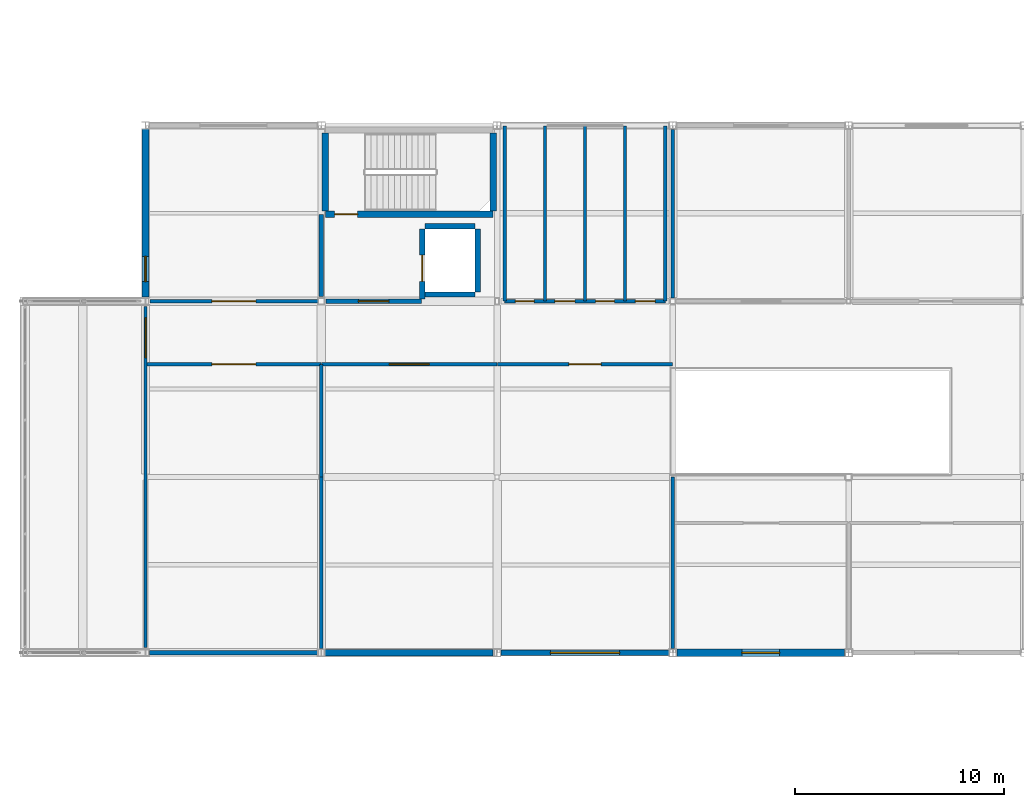
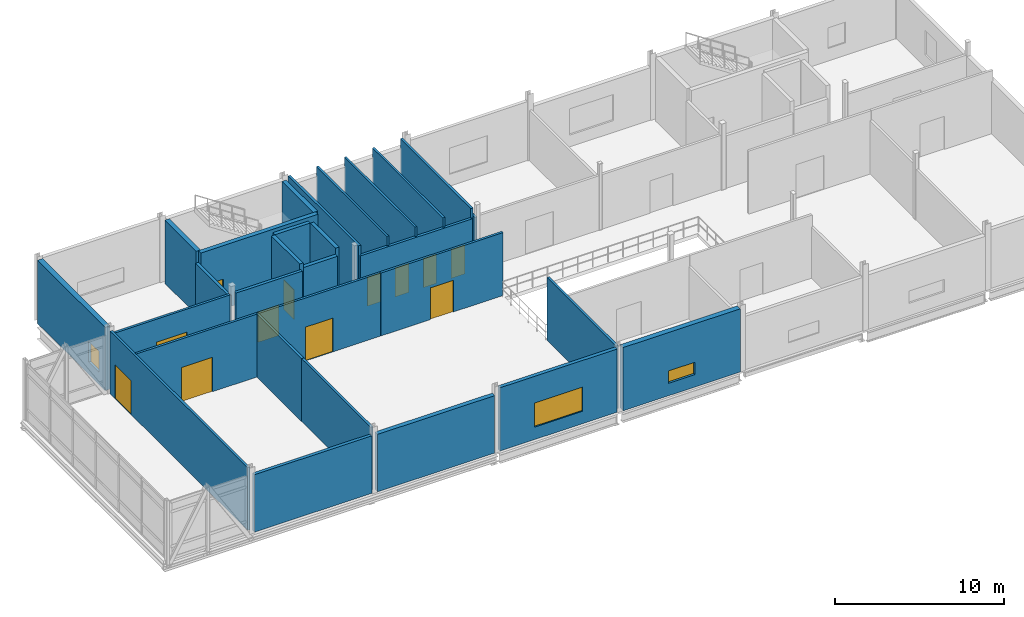
# One storey, part 30 of 45: 29 walls, 12 doors, 3 windows, 15 openings.
"""IFC4 building model written with IfcOpenShell, lengths in metres."""

from ifc_helpers import new_model, si_unit, direction, frame, frame_2d, origin, place, context, subcontext, project, spatial, rectangle, extrude, material, layer, layer_set, type_object, element, fill, save


model = new_model("IFC4")

# Units and contexts
model_context = context("Model", 3, precision=1e-05, world=origin(), true_north=direction((0.0, 1.0)))
body_context = subcontext(model_context, "Body", "Model", "MODEL_VIEW")
ifc_project = project(units=[si_unit("LENGTHUNIT", "METRE"), si_unit("AREAUNIT", "SQUARE_METRE"), si_unit("VOLUMEUNIT", "CUBIC_METRE"), si_unit("PLANEANGLEUNIT", "RADIAN"), si_unit("MASSUNIT", "GRAM", prefix="KILO")], contexts=[model_context])

# Site, building, storey
site_placement = place(None, origin())
site = spatial("IfcSite", under=ifc_project, at=site_placement, CompositionType="ELEMENT")
building_placement = place(site_placement, origin())
building = spatial("IfcBuilding", under=site, at=building_placement, Name="Calvrana Isthmian Art Gallery", CompositionType="ELEMENT")
storey_placement = place(building_placement, frame((0.0, 0.0, 19.800048828125)))
storey = spatial("IfcBuildingStorey", under=building, at=storey_placement, Name="L04", CompositionType="ELEMENT", Elevation=19.800048828125)

# Wall, opening, door
ifc_material_1 = material(Name="Concrete C40/50", Category="concrete")
ifc_layer_1 = layer(ifc_material_1, 0.300048828125, Name="Concrete C40/50")
ifc_layer_set_1 = layer_set([ifc_layer_1], Name="Concrete C40/50")
wall_type_1 = type_object("IfcWallType", Name="CW-SHAFT-300", PredefinedType="SHEAR", material=ifc_layer_set_1)
wall_1_placement = place(storey_placement, frame((30.18994140625, 42.56005859375, 0.0), z_axis=(0.0, 0.0, 1.0), x_axis=(1.0, 0.0, 0.0)))
wall_1 = element("IfcWall", 1, at=wall_1_placement, inside=storey, type_object=wall_type_1, Name="Core C1 shear wall S L04", PredefinedType="SHEAR", context=body_context, shape_type="SweptSolid", body=[
    extrude(rectangle(XDim=8.02001953125, YDim=0.300048828125, at=frame_2d((4.010009765625, 0.0))), origin(), (0.0, 0.0, 1.0), 4.579833984375),
])
opening_1_placement = place(wall_1_placement, frame((0.449951171875, 0.0, 0.0)))
opening_1 = element("IfcOpeningElement", 2, at=opening_1_placement, cuts=wall_1, Name="Opening D-111", PredefinedType="OPENING", context=body_context, shape_type="SweptSolid", body=[
    extrude(rectangle(XDim=1.10009765625, YDim=2.14990234375, at=frame_2d((0.550048828125, 1.074951171875))), frame((0.0, 0.16015625, 0.0), z_axis=(0.0, -1.0, 0.0), x_axis=(1.0, 0.0, 0.0)), (0.0, 0.0, 1.0), 0.320556640625),
])
ifc_material_2 = material(Name="Steel ASTM A572 Gr 50", Category="steel")
door_type_1 = type_object("IfcDoorType", Name="DR-FIRE-1100", OperationType="NOTDEFINED", PredefinedType="DOOR", material=ifc_material_2)
door_1_placement = place(opening_1_placement, origin())
door_1 = element("IfcDoor", 3, at=door_1_placement, inside=storey, type_object=door_type_1, Name="Stair ST-1 fire door L04", OperationType="SINGLE_SWING_RIGHT", OverallHeight=2.14990234375, OverallWidth=1.10009765625, PredefinedType="DOOR", context=body_context, shape_type="SweptSolid", body=[
    extrude(rectangle(XDim=1.10009765625, YDim=2.14990234375, at=frame_2d((0.550048828125, 1.074951171875))), frame((0.0, 0.02490234375, 0.0), z_axis=(0.0, -1.0, 0.0), x_axis=(1.0, 0.0, 0.0)), (0.0, 0.0, 1.0), 0.050048828125),
])
fill(opening_1, door_1)

# Walls
for number, where, z_axis, x_axis, name in (
    (4, (30.18994140625, 42.7099609375, 0.0), (0.0, 0.0, 1.0), (0.0, 1.0, 0.0), "Core C1 shear wall W L04"),
    (5, (38.2099609375, 42.7099609375, 0.0), (0.0, 0.0, 1.0), (0.0, 1.0, 0.0), "Core C1 shear wall E L04"),
):
    element("IfcWall", number, at=place(storey_placement, frame(where, z_axis=z_axis, x_axis=x_axis)), inside=storey, type_object=wall_type_1, Name=name, PredefinedType="SHEAR", context=body_context, shape_type="SweptSolid", body=[
        extrude(rectangle(XDim=3.719970703125, YDim=0.300048828125, at=frame_2d((1.85986328125, 0.0))), origin(), (0.0, 0.0, 1.0), 4.579833984375),
    ])
ifc_material_3 = material(Name="Precast concrete C40/50", Category="concrete")
ifc_layer_2 = layer(ifc_material_3, 0.219970703125, Name="Precast concrete C40/50")
ifc_layer_set_2 = layer_set([ifc_layer_2], Name="Precast concrete C40/50")
wall_type_2 = type_object("IfcWallType", Name="EW-ACOUST-220", PredefinedType="SOLIDWALL", material=ifc_layer_set_2)
wall_2_placement = place(storey_placement, frame((29.81591796875, 21.60009765625, 0.0), z_axis=(0.0, 0.0, 1.0), x_axis=(-1.0, 0.0, 0.0)))
element("IfcWall", 6, at=wall_2_placement, inside=storey, type_object=wall_type_2, Name="Exterior wall EW-179", PredefinedType="SOLIDWALL", context=body_context, shape_type="SweptSolid", body=[
    extrude(rectangle(XDim=8.030517578125, YDim=0.219970703125, at=frame_2d((4.01513671875, 0.0))), origin(), (0.0, 0.0, 1.0), 4.160888671875),
])
ifc_material_4 = material(Name="Pale Isthmian limestone", Category="masonry")
ifc_layer_3 = layer(ifc_material_4, 0.300048828125, Name="Pale Isthmian limestone")
ifc_layer_set_3 = layer_set([ifc_layer_3], Name="Pale Isthmian limestone")
wall_type_3 = type_object("IfcWallType", Name="EW-LIME-300", PredefinedType="SOLIDWALL", material=ifc_layer_set_3)
wall_3_placement = place(storey_placement, frame((38.21337890625, 21.60009765625, 0.0), z_axis=(0.0, 0.0, 1.0), x_axis=(-1.0, 0.0, 0.0)))
element("IfcWall", 7, at=wall_3_placement, inside=storey, type_object=wall_type_3, Name="Exterior wall EW-180", PredefinedType="SOLIDWALL", context=body_context, shape_type="SweptSolid", body=[
    extrude(rectangle(XDim=8.029296875, YDim=0.300048828125, at=frame_2d((4.0146484375, 0.0))), origin(), (0.0, 0.0, 1.0), 4.160888671875),
])

# Wall, opening, window
ifc_layer_4 = layer(ifc_material_3, 0.35009765625, Name="Precast concrete C40/50")
ifc_layer_set_4 = layer_set([ifc_layer_4], Name="Precast concrete C40/50")
wall_type_4 = type_object("IfcWallType", Name="EW-PREC-350", PredefinedType="SOLIDWALL", material=ifc_layer_set_4)
wall_4_placement = place(storey_placement, frame((55.014404296875, 21.60009765625, 0.0), z_axis=(0.0, 0.0, 1.0), x_axis=(-1.0, 0.0, 0.0)))
wall_4 = element("IfcWall", 8, at=wall_4_placement, inside=storey, type_object=wall_type_4, Name="Exterior wall EW-182", PredefinedType="SOLIDWALL", context=body_context, shape_type="SweptSolid", body=[
    extrude(rectangle(XDim=8.02783203125, YDim=0.35009765625, at=frame_2d((4.013916015625, 0.0))), origin(), (0.0, 0.0, 1.0), 4.579833984375),
])
opening_2_placement = place(wall_4_placement, frame((3.114013671875, 0.0, 0.89990234375)))
opening_2 = element("IfcOpeningElement", 9, at=opening_2_placement, cuts=wall_4, Name="Opening W-133", PredefinedType="OPENING", context=body_context, shape_type="SweptSolid", body=[
    extrude(rectangle(XDim=1.800048828125, YDim=0.89990234375, at=frame_2d((0.89990234375, 0.449951171875))), frame((0.0, 0.185302734375, 0.0), z_axis=(0.0, -1.0, 0.0), x_axis=(1.0, 0.0, 0.0)), (0.0, 0.0, 1.0), 0.37060546875),
])
ifc_material_5 = material(Name="Low-E laminated solar glass", Category="glass")
window_type_1 = type_object("IfcWindowType", Name="WN-C01", PartitioningType="DOUBLE_PANEL_VERTICAL", PredefinedType="WINDOW", material=ifc_material_5)
window_1_placement = place(opening_2_placement, origin())
window_1 = element("IfcWindow", 10, at=window_1_placement, inside=storey, type_object=window_type_1, Name="Facade window W-133", OverallHeight=0.89990234375, OverallWidth=1.800048828125, PartitioningType="SINGLE_PANEL", PredefinedType="WINDOW", context=body_context, shape_type="SweptSolid", body=[
    extrude(rectangle(XDim=1.800048828125, YDim=0.89990234375, at=frame_2d((0.89990234375, 0.449951171875))), frame((0.0, 0.030029296875, 0.0), z_axis=(0.0, -1.0, 0.0), x_axis=(1.0, 0.0, 0.0)), (0.0, 0.0, 1.0), 0.06005859375),
])
fill(opening_2, window_1)

wall_5_placement = place(storey_placement, frame((21.60009765625, 38.590087890625, 0.0), z_axis=(0.0, 0.0, 1.0), x_axis=(0.0, 1.0, 0.0)))
wall_5 = element("IfcWall", 11, at=wall_5_placement, inside=storey, type_object=wall_type_4, Name="Exterior wall EW-198", PredefinedType="SOLIDWALL", context=body_context, shape_type="SweptSolid", body=[
    extrude(rectangle(XDim=8.031982421875, YDim=0.35009765625, at=frame_2d((4.01611328125, 0.0))), origin(), (0.0, 0.0, 1.0), 4.579833984375),
])
opening_3_placement = place(wall_5_placement, frame((0.75, 0.0, 0.89990234375)))
opening_3 = element("IfcOpeningElement", 12, at=opening_3_placement, cuts=wall_5, Name="Opening W-146", PredefinedType="OPENING", context=body_context, shape_type="SweptSolid", body=[
    extrude(rectangle(XDim=1.199951171875, YDim=1.5, at=frame_2d((0.60009765625, 0.75))), frame((0.0, 0.185302734375, 0.0), z_axis=(0.0, -1.0, 0.0), x_axis=(1.0, 0.0, 0.0)), (0.0, 0.0, 1.0), 0.37060546875),
])
window_type_2 = type_object("IfcWindowType", Name="WN-G01", PartitioningType="SINGLE_PANEL", PredefinedType="WINDOW", material=ifc_material_5)
window_2_placement = place(opening_3_placement, origin())
window_2 = element("IfcWindow", 13, at=window_2_placement, inside=storey, type_object=window_type_2, Name="Facade window W-146", OverallHeight=1.5, OverallWidth=1.199951171875, PartitioningType="SINGLE_PANEL", PredefinedType="WINDOW", context=body_context, shape_type="SweptSolid", body=[
    extrude(rectangle(XDim=1.199951171875, YDim=1.5, at=frame_2d((0.60009765625, 0.75))), frame((0.0, 0.030029296875, 0.0), z_axis=(0.0, -1.0, 0.0), x_axis=(1.0, 0.0, 0.0)), (0.0, 0.0, 1.0), 0.06005859375),
])
fill(opening_3, window_2)

ifc_material_6 = material(Name="Polychrome glazed terracotta", Category="masonry")
ifc_layer_5 = layer(ifc_material_6, 0.25, Name="Polychrome glazed terracotta")
ifc_layer_set_5 = layer_set([ifc_layer_5], Name="Polychrome glazed terracotta")
wall_type_5 = type_object("IfcWallType", Name="EW-TERRA-250", PredefinedType="SOLIDWALL", material=ifc_layer_set_5)
wall_6_placement = place(storey_placement, frame((46.613525390625, 21.60009765625, 0.0), z_axis=(0.0, 0.0, 1.0), x_axis=(-1.0, 0.0, 0.0)))
wall_6 = element("IfcWall", 14, at=wall_6_placement, inside=storey, type_object=wall_type_5, Name="Exterior wall EW-181", PredefinedType="SOLIDWALL", context=body_context, shape_type="SweptSolid", body=[
    extrude(rectangle(XDim=8.027099609375, YDim=0.25, at=frame_2d((4.013671875, 0.0))), origin(), (0.0, 0.0, 1.0), 4.579833984375),
])
opening_4_placement = place(wall_6_placement, frame((2.363525390625, 0.0, 0.89990234375)))
opening_4 = element("IfcOpeningElement", 15, at=opening_4_placement, cuts=wall_6, Name="Opening W-132", PredefinedType="OPENING", context=body_context, shape_type="SweptSolid", body=[
    extrude(rectangle(XDim=3.300048828125, YDim=1.75, at=frame_2d((1.64990234375, 0.875))), frame((0.0, 0.13525390625, 0.0), z_axis=(0.0, -1.0, 0.0), x_axis=(1.0, 0.0, 0.0)), (0.0, 0.0, 1.0), 0.2705078125),
])
window_type_3 = type_object("IfcWindowType", Name="WN-G16", PartitioningType="DOUBLE_PANEL_VERTICAL", PredefinedType="WINDOW", material=ifc_material_5)
window_3_placement = place(opening_4_placement, origin())
window_3 = element("IfcWindow", 16, at=window_3_placement, inside=storey, type_object=window_type_3, Name="Facade window W-132", OverallHeight=1.75, OverallWidth=3.300048828125, PartitioningType="SINGLE_PANEL", PredefinedType="WINDOW", context=body_context, shape_type="SweptSolid", body=[
    extrude(rectangle(XDim=3.300048828125, YDim=1.75, at=frame_2d((1.64990234375, 0.875))), frame((0.0, 0.030029296875, 0.0), z_axis=(0.0, -1.0, 0.0), x_axis=(1.0, 0.0, 0.0)), (0.0, 0.0, 1.0), 0.06005859375),
])
fill(opening_4, window_3)

# Wall, openings, doors
ifc_material_7 = material(Name="Acoustic gypsum ceiling", Category="gypsum")
ifc_layer_6 = layer(ifc_material_7, 0.179931640625, Name="Acoustic gypsum ceiling")
ifc_layer_set_6 = layer_set([ifc_layer_6], Name="Acoustic gypsum ceiling")
wall_type_6 = type_object("IfcWallType", Name="PW-CORR-180", PredefinedType="PARTITIONING", material=ifc_layer_set_6)
wall_7_placement = place(storey_placement, frame((38.760009765625, 38.39990234375, 0.0), z_axis=(0.0, 0.0, 1.0), x_axis=(1.0, 0.0, 0.0)))
wall_7 = element("IfcWall", 17, at=wall_7_placement, inside=storey, type_object=wall_type_6, Name="Interior partition PW-587", PredefinedType="PARTITIONING", context=body_context, shape_type="SweptSolid", body=[
    extrude(rectangle(XDim=7.679931640625, YDim=0.179931640625, at=frame_2d((3.83984375, 0.0))), origin(), (0.0, 0.0, 1.0), 3.866943359375),
])
opening_5_placement = place(wall_7_placement, frame((0.510009765625, 0.0, 0.0)))
opening_5 = element("IfcOpeningElement", 18, at=opening_5_placement, cuts=wall_7, Name="Opening D-502", PredefinedType="OPENING", context=body_context, shape_type="SweptSolid", body=[
    extrude(rectangle(XDim=0.89990234375, YDim=2.10009765625, at=frame_2d((0.449951171875, 1.050048828125))), frame((0.0, 0.10009765625, 0.0), z_axis=(0.0, -1.0, 0.0), x_axis=(1.0, 0.0, 0.0)), (0.0, 0.0, 1.0), 0.200439453125),
])
opening_6_placement = place(wall_7_placement, frame((2.405029296875, 0.0, 0.0)))
opening_6 = element("IfcOpeningElement", 19, at=opening_6_placement, cuts=wall_7, Name="Opening D-503", PredefinedType="OPENING", context=body_context, shape_type="SweptSolid", body=[
    extrude(rectangle(XDim=0.949951171875, YDim=2.10009765625, at=frame_2d((0.47509765625, 1.050048828125))), frame((0.0, 0.10009765625, 0.0), z_axis=(0.0, -1.0, 0.0), x_axis=(1.0, 0.0, 0.0)), (0.0, 0.0, 1.0), 0.200439453125),
])
opening_7_placement = place(wall_7_placement, frame((4.35009765625, 0.0, 0.0)))
opening_7 = element("IfcOpeningElement", 20, at=opening_7_placement, cuts=wall_7, Name="Opening D-504", PredefinedType="OPENING", context=body_context, shape_type="SweptSolid", body=[
    extrude(rectangle(XDim=0.89990234375, YDim=2.10009765625, at=frame_2d((0.449951171875, 1.050048828125))), frame((0.0, 0.10009765625, 0.0), z_axis=(0.0, -1.0, 0.0), x_axis=(1.0, 0.0, 0.0)), (0.0, 0.0, 1.0), 0.200439453125),
])
opening_8_placement = place(wall_7_placement, frame((6.2451171875, 0.0, 0.0)))
opening_8 = element("IfcOpeningElement", 21, at=opening_8_placement, cuts=wall_7, Name="Opening D-505", PredefinedType="OPENING", context=body_context, shape_type="SweptSolid", body=[
    extrude(rectangle(XDim=0.949951171875, YDim=2.10009765625, at=frame_2d((0.47509765625, 1.050048828125))), frame((0.0, 0.10009765625, 0.0), z_axis=(0.0, -1.0, 0.0), x_axis=(1.0, 0.0, 0.0)), (0.0, 0.0, 1.0), 0.200439453125),
])
ifc_material_8 = material(Name="Timber gallery flooring", Category="wood")
door_type_2 = type_object("IfcDoorType", Name="DR-WC-900", OperationType="NOTDEFINED", PredefinedType="DOOR", material=ifc_material_8)
door_2_placement = place(opening_5_placement, origin())
door_2 = element("IfcDoor", 22, at=door_2_placement, inside=storey, type_object=door_type_2, Name="Interior door D-502", OperationType="SINGLE_SWING_LEFT", OverallHeight=2.10009765625, OverallWidth=0.89990234375, PredefinedType="DOOR", context=body_context, shape_type="SweptSolid", body=[
    extrude(rectangle(XDim=0.89990234375, YDim=2.10009765625, at=frame_2d((0.449951171875, 1.050048828125))), frame((0.0, 0.02490234375, 0.0), z_axis=(0.0, -1.0, 0.0), x_axis=(1.0, 0.0, 0.0)), (0.0, 0.0, 1.0), 0.050048828125),
])
fill(opening_5, door_2)
door_3_placement = place(opening_7_placement, origin())
door_3 = element("IfcDoor", 23, at=door_3_placement, inside=storey, type_object=door_type_2, Name="Interior door D-504", OperationType="SINGLE_SWING_LEFT", OverallHeight=2.10009765625, OverallWidth=0.89990234375, PredefinedType="DOOR", context=body_context, shape_type="SweptSolid", body=[
    extrude(rectangle(XDim=0.89990234375, YDim=2.10009765625, at=frame_2d((0.449951171875, 1.050048828125))), frame((0.0, 0.02490234375, 0.0), z_axis=(0.0, -1.0, 0.0), x_axis=(1.0, 0.0, 0.0)), (0.0, 0.0, 1.0), 0.050048828125),
])
fill(opening_7, door_3)
door_type_3 = type_object("IfcDoorType", Name="DR-WC-950", OperationType="NOTDEFINED", PredefinedType="DOOR", material=ifc_material_8)
door_4_placement = place(opening_6_placement, origin())
door_4 = element("IfcDoor", 24, at=door_4_placement, inside=storey, type_object=door_type_3, Name="Interior door D-503", OperationType="SINGLE_SWING_RIGHT", OverallHeight=2.10009765625, OverallWidth=0.949951171875, PredefinedType="DOOR", context=body_context, shape_type="SweptSolid", body=[
    extrude(rectangle(XDim=0.949951171875, YDim=2.10009765625, at=frame_2d((0.47509765625, 1.050048828125))), frame((0.0, 0.02490234375, 0.0), z_axis=(0.0, -1.0, 0.0), x_axis=(1.0, 0.0, 0.0)), (0.0, 0.0, 1.0), 0.050048828125),
])
fill(opening_6, door_4)
door_5_placement = place(opening_8_placement, origin())
door_5 = element("IfcDoor", 25, at=door_5_placement, inside=storey, type_object=door_type_3, Name="Interior door D-505", OperationType="SINGLE_SWING_RIGHT", OverallHeight=2.10009765625, OverallWidth=0.949951171875, PredefinedType="DOOR", context=body_context, shape_type="SweptSolid", body=[
    extrude(rectangle(XDim=0.949951171875, YDim=2.10009765625, at=frame_2d((0.47509765625, 1.050048828125))), frame((0.0, 0.02490234375, 0.0), z_axis=(0.0, -1.0, 0.0), x_axis=(1.0, 0.0, 0.0)), (0.0, 0.0, 1.0), 0.050048828125),
])
fill(opening_8, door_5)

# Wall
ifc_layer_7 = layer(ifc_material_7, 0.199951171875, Name="Acoustic gypsum ceiling")
ifc_layer_set_7 = layer_set([ifc_layer_7], Name="Acoustic gypsum ceiling")
wall_type_7 = type_object("IfcWallType", Name="PW-FIRE-200", PredefinedType="PARTITIONING", material=ifc_layer_set_7)
wall_8_placement = place(storey_placement, frame((30.0, 38.6201171875, 0.0), z_axis=(0.0, 0.0, 1.0), x_axis=(0.0, 1.0, 0.0)))
element("IfcWall", 26, at=wall_8_placement, inside=storey, type_object=wall_type_7, Name="Core C1 lobby west closure L04", PredefinedType="PARTITIONING", context=body_context, shape_type="SweptSolid", body=[
    extrude(rectangle(XDim=3.919921875, YDim=0.199951171875, at=frame_2d((1.9599609375, 0.0))), origin(), (0.0, 0.0, 1.0), 3.866943359375),
])

# Wall, opening, door
wall_9_placement = place(storey_placement, frame((30.219970703125, 38.39990234375, 0.0), z_axis=(0.0, 0.0, 1.0), x_axis=(1.0, 0.0, 0.0)))
wall_9 = element("IfcWall", 27, at=wall_9_placement, inside=storey, type_object=wall_type_7, Name="Core C1 lobby enclosure L04", PredefinedType="PARTITIONING", context=body_context, shape_type="SweptSolid", body=[
    extrude(rectangle(XDim=4.56005859375, YDim=0.199951171875, at=frame_2d((2.280029296875, 0.0))), origin(), (0.0, 0.0, 1.0), 4.160888671875),
])
opening_9_placement = place(wall_9_placement, frame((1.554931640625, 0.0, 0.0)))
opening_9 = element("IfcOpeningElement", 28, at=opening_9_placement, cuts=wall_9, Name="Opening D-112", PredefinedType="OPENING", context=body_context, shape_type="SweptSolid", body=[
    extrude(rectangle(XDim=1.449951171875, YDim=2.199951171875, at=frame_2d((0.72509765625, 1.10009765625))), frame((0.0, 0.1103515625, 0.0), z_axis=(0.0, -1.0, 0.0), x_axis=(1.0, 0.0, 0.0)), (0.0, 0.0, 1.0), 0.220458984375),
])
door_type_4 = type_object("IfcDoorType", Name="DR-LOBBY-1450", OperationType="DOUBLE_DOOR_SINGLE_SWING", PredefinedType="DOOR", material=ifc_material_2)
door_6_placement = place(opening_9_placement, origin())
door_6 = element("IfcDoor", 29, at=door_6_placement, inside=storey, type_object=door_type_4, Name="Core C1 lobby fire door L04", OperationType="DOUBLE_DOOR_SINGLE_SWING", OverallHeight=2.199951171875, OverallWidth=1.449951171875, PredefinedType="DOOR", context=body_context, shape_type="SweptSolid", body=[
    extrude(rectangle(XDim=1.449951171875, YDim=2.199951171875, at=frame_2d((0.72509765625, 1.10009765625))), frame((0.0, 0.02490234375, 0.0), z_axis=(0.0, -1.0, 0.0), x_axis=(1.0, 0.0, 0.0)), (0.0, 0.0, 1.0), 0.050048828125),
])
fill(opening_9, door_6)

ifc_layer_8 = layer(ifc_material_7, 0.159912109375, Name="Acoustic gypsum ceiling")
ifc_layer_set_8 = layer_set([ifc_layer_8], Name="Acoustic gypsum ceiling")
wall_type_8 = type_object("IfcWallType", Name="PW-GAL-160", PredefinedType="PARTITIONING", material=ifc_layer_set_8)
wall_10_placement = place(storey_placement, frame((21.659912109375, 35.389892578125, 0.0), z_axis=(0.0, 0.0, 1.0), x_axis=(1.0, 0.0, 0.0)))
wall_10 = element("IfcWall", 30, at=wall_10_placement, inside=storey, type_object=wall_type_8, Name="Interior partition PW-567", PredefinedType="PARTITIONING", context=body_context, shape_type="SweptSolid", body=[
    extrude(rectangle(XDim=8.330078125, YDim=0.159912109375, at=frame_2d((4.1650390625, 0.0))), origin(), (0.0, 0.0, 1.0), 4.56005859375),
])
opening_10_placement = place(wall_10_placement, frame((3.114990234375, 0.0, 0.0)))
opening_10 = element("IfcOpeningElement", 31, at=opening_10_placement, cuts=wall_10, Name="Opening D-494", PredefinedType="OPENING", context=body_context, shape_type="SweptSolid", body=[
    extrude(rectangle(XDim=2.10009765625, YDim=2.5, at=frame_2d((1.050048828125, 1.25))), frame((0.0, 0.09033203125, 0.0), z_axis=(0.0, -1.0, 0.0), x_axis=(1.0, 0.0, 0.0)), (0.0, 0.0, 1.0), 0.180419921875),
])
door_type_5 = type_object("IfcDoorType", Name="DR-GAL-2100", OperationType="DOUBLE_DOOR_SINGLE_SWING", PredefinedType="DOOR", material=ifc_material_8)
door_7_placement = place(opening_10_placement, origin())
door_7 = element("IfcDoor", 32, at=door_7_placement, inside=storey, type_object=door_type_5, Name="Interior door D-494", OperationType="DOUBLE_DOOR_SINGLE_SWING", OverallHeight=2.5, OverallWidth=2.10009765625, PredefinedType="DOOR", context=body_context, shape_type="SweptSolid", body=[
    extrude(rectangle(XDim=2.10009765625, YDim=2.5, at=frame_2d((1.050048828125, 1.25))), frame((0.0, 0.02490234375, 0.0), z_axis=(0.0, -1.0, 0.0), x_axis=(1.0, 0.0, 0.0)), (0.0, 0.0, 1.0), 0.050048828125),
])
fill(opening_10, door_7)

# Walls
wall_11_placement = place(storey_placement, frame((30.0, 21.79296875, 0.0), z_axis=(0.0, 0.0, 1.0), x_axis=(0.0, 1.0, 0.0)))
element("IfcWall", 33, at=wall_11_placement, inside=storey, type_object=wall_type_8, Name="Interior partition PW-568", PredefinedType="PARTITIONING", context=body_context, shape_type="SweptSolid", body=[
    extrude(rectangle(XDim=8.197021484375, YDim=0.159912109375, at=frame_2d((4.0986328125, 0.0))), origin(), (0.0, 0.0, 1.0), 4.56005859375),
])
wall_12_placement = place(storey_placement, frame((30.0, 30.010009765625, 0.0), z_axis=(0.0, 0.0, 1.0), x_axis=(0.0, 1.0, 0.0)))
element("IfcWall", 34, at=wall_12_placement, inside=storey, type_object=wall_type_8, Name="Interior partition PW-569", PredefinedType="PARTITIONING", context=body_context, shape_type="SweptSolid", body=[
    extrude(rectangle(XDim=5.369873046875, YDim=0.159912109375, at=frame_2d((2.68505859375, 0.0))), origin(), (0.0, 0.0, 1.0), 4.56005859375),
])

# Wall, opening, door
wall_13_placement = place(storey_placement, frame((30.010009765625, 35.389892578125, 0.0), z_axis=(0.0, 0.0, 1.0), x_axis=(1.0, 0.0, 0.0)))
wall_13 = element("IfcWall", 35, at=wall_13_placement, inside=storey, type_object=wall_type_8, Name="Interior partition PW-570", PredefinedType="PARTITIONING", context=body_context, shape_type="SweptSolid", body=[
    extrude(rectangle(XDim=8.3798828125, YDim=0.159912109375, at=frame_2d((4.18994140625, 0.0))), origin(), (0.0, 0.0, 1.0), 4.56005859375),
])
opening_11_placement = place(wall_13_placement, frame((3.239990234375, 0.0, 0.0)))
opening_11 = element("IfcOpeningElement", 36, at=opening_11_placement, cuts=wall_13, Name="Opening D-495", PredefinedType="OPENING", context=body_context, shape_type="SweptSolid", body=[
    extrude(rectangle(XDim=1.89990234375, YDim=2.449951171875, at=frame_2d((0.949951171875, 1.22509765625))), frame((0.0, 0.09033203125, 0.0), z_axis=(0.0, -1.0, 0.0), x_axis=(1.0, 0.0, 0.0)), (0.0, 0.0, 1.0), 0.180419921875),
])
door_type_6 = type_object("IfcDoorType", Name="DR-GAL-1900", OperationType="DOUBLE_DOOR_SINGLE_SWING", PredefinedType="DOOR", material=ifc_material_8)
door_8_placement = place(opening_11_placement, origin())
door_8 = element("IfcDoor", 37, at=door_8_placement, inside=storey, type_object=door_type_6, Name="Interior door D-495", OperationType="DOUBLE_DOOR_SINGLE_SWING", OverallHeight=2.449951171875, OverallWidth=1.89990234375, PredefinedType="DOOR", context=body_context, shape_type="SweptSolid", body=[
    extrude(rectangle(XDim=1.89990234375, YDim=2.449951171875, at=frame_2d((0.949951171875, 1.22509765625))), frame((0.0, 0.02490234375, 0.0), z_axis=(0.0, -1.0, 0.0), x_axis=(1.0, 0.0, 0.0)), (0.0, 0.0, 1.0), 0.050048828125),
])
fill(opening_11, door_8)

wall_14_placement = place(storey_placement, frame((38.409912109375, 35.389892578125, 0.0), z_axis=(0.0, 0.0, 1.0), x_axis=(1.0, 0.0, 0.0)))
wall_14 = element("IfcWall", 38, at=wall_14_placement, inside=storey, type_object=wall_type_8, Name="Interior partition PW-571", PredefinedType="PARTITIONING", context=body_context, shape_type="SweptSolid", body=[
    extrude(rectangle(XDim=8.380126953125, YDim=0.159912109375, at=frame_2d((4.18994140625, 0.0))), origin(), (0.0, 0.0, 1.0), 4.56005859375),
])
opening_12_placement = place(wall_14_placement, frame((3.4150390625, 0.0, 0.0)))
opening_12 = element("IfcOpeningElement", 39, at=opening_12_placement, cuts=wall_14, Name="Opening D-496", PredefinedType="OPENING", context=body_context, shape_type="SweptSolid", body=[
    extrude(rectangle(XDim=1.550048828125, YDim=2.300048828125, at=frame_2d((0.77490234375, 1.14990234375))), frame((0.0, 0.09033203125, 0.0), z_axis=(0.0, -1.0, 0.0), x_axis=(1.0, 0.0, 0.0)), (0.0, 0.0, 1.0), 0.180419921875),
])
door_type_7 = type_object("IfcDoorType", Name="DR-AUD-1550", OperationType="DOUBLE_DOOR_SINGLE_SWING", PredefinedType="DOOR", material=ifc_material_8)
door_9_placement = place(opening_12_placement, origin())
door_9 = element("IfcDoor", 40, at=door_9_placement, inside=storey, type_object=door_type_7, Name="Interior door D-496", OperationType="DOUBLE_DOOR_SINGLE_SWING", OverallHeight=2.300048828125, OverallWidth=1.550048828125, PredefinedType="DOOR", context=body_context, shape_type="SweptSolid", body=[
    extrude(rectangle(XDim=1.550048828125, YDim=2.300048828125, at=frame_2d((0.77490234375, 1.14990234375))), frame((0.0, 0.02490234375, 0.0), z_axis=(0.0, -1.0, 0.0), x_axis=(1.0, 0.0, 0.0)), (0.0, 0.0, 1.0), 0.050048828125),
])
fill(opening_12, door_9)

# Wall
wall_15_placement = place(storey_placement, frame((46.800048828125, 21.799072265625, 0.0), z_axis=(0.0, 0.0, 1.0), x_axis=(0.0, 1.0, 0.0)))
element("IfcWall", 41, at=wall_15_placement, inside=storey, type_object=wall_type_8, Name="Interior partition PW-572", PredefinedType="PARTITIONING", context=body_context, shape_type="SweptSolid", body=[
    extrude(rectangle(XDim=8.19091796875, YDim=0.159912109375, at=frame_2d((4.095458984375, 0.0))), origin(), (0.0, 0.0, 1.0), 4.56005859375),
])

# Wall, opening, door
wall_16_placement = place(storey_placement, frame((21.81494140625, 38.39990234375, 0.0), z_axis=(0.0, 0.0, 1.0), x_axis=(1.0, 0.0, 0.0)))
wall_16 = element("IfcWall", 42, at=wall_16_placement, inside=storey, type_object=wall_type_8, Name="Interior partition PW-581", PredefinedType="PARTITIONING", context=body_context, shape_type="SweptSolid", body=[
    extrude(rectangle(XDim=8.017578125, YDim=0.159912109375, at=frame_2d((4.0087890625, 0.0))), origin(), (0.0, 0.0, 1.0), 4.160888671875),
])
opening_13_placement = place(wall_16_placement, frame((2.958740234375, 0.0, 0.0)))
opening_13 = element("IfcOpeningElement", 43, at=opening_13_placement, cuts=wall_16, Name="Opening D-501", PredefinedType="OPENING", context=body_context, shape_type="SweptSolid", body=[
    extrude(rectangle(XDim=2.10009765625, YDim=2.5, at=frame_2d((1.050048828125, 1.25))), frame((0.0, 0.09033203125, 0.0), z_axis=(0.0, -1.0, 0.0), x_axis=(1.0, 0.0, 0.0)), (0.0, 0.0, 1.0), 0.180419921875),
])
door_10_placement = place(opening_13_placement, origin())
door_10 = element("IfcDoor", 44, at=door_10_placement, inside=storey, type_object=door_type_5, Name="Interior door D-501", OperationType="DOUBLE_DOOR_SINGLE_SWING", OverallHeight=2.5, OverallWidth=2.10009765625, PredefinedType="DOOR", context=body_context, shape_type="SweptSolid", body=[
    extrude(rectangle(XDim=2.10009765625, YDim=2.5, at=frame_2d((1.050048828125, 1.25))), frame((0.0, 0.02490234375, 0.0), z_axis=(0.0, -1.0, 0.0), x_axis=(1.0, 0.0, 0.0)), (0.0, 0.0, 1.0), 0.050048828125),
])
fill(opening_13, door_10)

# Walls
for number, where, z_axis, x_axis, name in (
    (45, (38.760009765625, 38.409912109375, 0.0), (0.0, 0.0, 1.0), (0.0, 1.0, 0.0), "Interior partition PW-585"),
    (46, (46.43994140625, 38.409912109375, 0.0), (0.0, 0.0, 1.0), (0.0, 1.0, 0.0), "Interior partition PW-586"),
):
    element("IfcWall", number, at=place(storey_placement, frame(where, z_axis=z_axis, x_axis=x_axis)), inside=storey, type_object=wall_type_8, Name=name, PredefinedType="PARTITIONING", context=body_context, shape_type="SweptSolid", body=[
        extrude(rectangle(XDim=8.360107421875, YDim=0.159912109375, at=frame_2d((4.18017578125, 0.0))), origin(), (0.0, 0.0, 1.0), 4.56005859375),
    ])
wall_17_placement = place(storey_placement, frame((46.800048828125, 38.5419921875, 0.0), z_axis=(0.0, 0.0, 1.0), x_axis=(0.0, 1.0, 0.0)))
element("IfcWall", 47, at=wall_17_placement, inside=storey, type_object=wall_type_8, Name="Interior partition PW-588", PredefinedType="PARTITIONING", context=body_context, shape_type="SweptSolid", body=[
    extrude(rectangle(XDim=8.0615234375, YDim=0.159912109375, at=frame_2d((4.03076171875, 0.0))), origin(), (0.0, 0.0, 1.0), 3.703857421875),
])

# Wall, opening, door
wall_18_placement = place(storey_placement, frame((21.60009765625, 21.85009765625, 0.0), z_axis=(0.0, 0.0, 1.0), x_axis=(0.0, 1.0, 0.0)))
wall_18 = element("IfcWall", 48, at=wall_18_placement, inside=storey, type_object=wall_type_8, Name="Lookout lounge threshold portal wall", PredefinedType="PARTITIONING", context=body_context, shape_type="SweptSolid", body=[
    extrude(rectangle(XDim=16.2998046875, YDim=0.159912109375, at=frame_2d((8.14990234375, 0.0))), origin(), (0.0, 0.0, 1.0), 4.5400390625),
])
opening_14_placement = place(wall_18_placement, frame((13.85009765625, 0.0, 0.0)))
opening_14 = element("IfcOpeningElement", 49, at=opening_14_placement, cuts=wall_18, Name="Opening D-529", PredefinedType="OPENING", context=body_context, shape_type="SweptSolid", body=[
    extrude(rectangle(XDim=1.89990234375, YDim=2.449951171875, at=frame_2d((0.949951171875, 1.22509765625))), frame((0.0, 0.09033203125, 0.0), z_axis=(0.0, -1.0, 0.0), x_axis=(1.0, 0.0, 0.0)), (0.0, 0.0, 1.0), 0.180419921875),
])
door_11_placement = place(opening_14_placement, origin())
door_11 = element("IfcDoor", 50, at=door_11_placement, inside=storey, type_object=door_type_6, Name="Lookout lounge gallery portal door", OperationType="DOUBLE_DOOR_SINGLE_SWING", OverallHeight=2.449951171875, OverallWidth=1.89990234375, PredefinedType="DOOR", context=body_context, shape_type="SweptSolid", body=[
    extrude(rectangle(XDim=1.89990234375, YDim=2.449951171875, at=frame_2d((0.949951171875, 1.22509765625))), frame((0.0, 0.02490234375, 0.0), z_axis=(0.0, -1.0, 0.0), x_axis=(1.0, 0.0, 0.0)), (0.0, 0.0, 1.0), 0.050048828125),
])
fill(opening_14, door_11)

# Walls
ifc_material_9 = material(Name="Concrete C35/45", Category="concrete")
ifc_layer_9 = layer(ifc_material_9, 0.25, Name="Concrete C35/45")
ifc_layer_set_9 = layer_set([ifc_layer_9], Name="Concrete C35/45")
wall_type_9 = type_object("IfcWallType", Name="PW-SHAFT-250", PredefinedType="PARTITIONING", material=ifc_layer_set_9)
wall_19_placement = place(storey_placement, frame((37.47998046875, 38.85009765625, 0.0), z_axis=(0.0, 0.0, 1.0), x_axis=(0.0, 1.0, 0.0)))
element("IfcWall", 51, at=wall_19_placement, inside=storey, type_object=wall_type_9, Name="Lift EL-01 shaft wall E L04", PredefinedType="PARTITIONING", context=body_context, shape_type="SweptSolid", body=[
    extrude(rectangle(XDim=3.0, YDim=0.25, at=frame_2d((1.5, 0.0))), origin(), (0.0, 0.0, 1.0), 4.579833984375),
])
wall_20_placement = place(storey_placement, frame((34.949951171875, 38.719970703125, 0.0), z_axis=(0.0, 0.0, 1.0), x_axis=(1.0, 0.0, 0.0)))
element("IfcWall", 52, at=wall_20_placement, inside=storey, type_object=wall_type_9, Name="Lift EL-01 shaft wall S L04", PredefinedType="PARTITIONING", context=body_context, shape_type="SweptSolid", body=[
    extrude(rectangle(XDim=2.400146484375, YDim=0.25, at=frame_2d((1.2001953125, 0.0))), origin(), (0.0, 0.0, 1.0), 4.160888671875),
])
wall_21_placement = place(storey_placement, frame((34.949951171875, 41.97998046875, 0.0), z_axis=(0.0, 0.0, 1.0), x_axis=(1.0, 0.0, 0.0)))
element("IfcWall", 53, at=wall_21_placement, inside=storey, type_object=wall_type_9, Name="Lift EL-01 shaft wall N L04", PredefinedType="PARTITIONING", context=body_context, shape_type="SweptSolid", body=[
    extrude(rectangle(XDim=2.400146484375, YDim=0.25, at=frame_2d((1.2001953125, 0.0))), origin(), (0.0, 0.0, 1.0), 4.579833984375),
])

# Wall, opening, door
wall_22_placement = place(storey_placement, frame((34.820068359375, 38.5, 0.0), z_axis=(0.0, 0.0, 1.0), x_axis=(0.0, 1.0, 0.0)))
wall_22 = element("IfcWall", 54, at=wall_22_placement, inside=storey, type_object=wall_type_9, Name="Lift EL-01 shaft wall W L04", PredefinedType="PARTITIONING", context=body_context, shape_type="SweptSolid", body=[
    extrude(rectangle(XDim=3.35009765625, YDim=0.25, at=frame_2d((1.675048828125, 0.0))), origin(), (0.0, 0.0, 1.0), 4.579833984375),
])
opening_15_placement = place(wall_22_placement, frame((0.85009765625, 0.0, 0.0)))
opening_15 = element("IfcOpeningElement", 55, at=opening_15_placement, cuts=wall_22, Name="Opening LD-01-L04", PredefinedType="OPENING", context=body_context, shape_type="SweptSolid", body=[
    extrude(rectangle(XDim=1.25, YDim=2.14990234375, at=frame_2d((0.625, 1.074951171875))), frame((0.0, 0.13525390625, 0.0), z_axis=(0.0, -1.0, 0.0), x_axis=(1.0, 0.0, 0.0)), (0.0, 0.0, 1.0), 0.2705078125),
])
ifc_material_10 = material(Name="Stainless steel 316", Category="steel")
door_type_8 = type_object("IfcDoorType", Name="DR-LIFT-1250", OperationType="DOUBLE_DOOR_SLIDING", PredefinedType="DOOR", material=ifc_material_10)
door_12_placement = place(opening_15_placement, origin())
door_12 = element("IfcDoor", 56, at=door_12_placement, inside=storey, type_object=door_type_8, Name="Lift EL-01 sliding landing door L04", OperationType="DOUBLE_DOOR_SLIDING", OverallHeight=2.14990234375, OverallWidth=1.25, PredefinedType="DOOR", context=body_context, shape_type="SweptSolid", body=[
    extrude(rectangle(XDim=1.25, YDim=2.14990234375, at=frame_2d((0.625, 1.074951171875))), frame((0.0, 0.02490234375, 0.0), z_axis=(0.0, -1.0, 0.0), x_axis=(1.0, 0.0, 0.0)), (0.0, 0.0, 1.0), 0.050048828125),
])
fill(opening_15, door_12)

# Walls
ifc_layer_10 = layer(ifc_material_7, 0.139892578125, Name="Acoustic gypsum ceiling")
ifc_layer_set_10 = layer_set([ifc_layer_10], Name="Acoustic gypsum ceiling")
wall_type_10 = type_object("IfcWallType", Name="PW-WC-140", PredefinedType="PARTITIONING", material=ifc_layer_set_10)
for number, where, z_axis, x_axis, name in (
    (57, (40.679931640625, 38.409912109375, 0.0), (0.0, 0.0, 1.0), (0.0, 1.0, 0.0), "Interior partition PW-582"),
    (58, (42.60009765625, 38.409912109375, 0.0), (0.0, 0.0, 1.0), (0.0, 1.0, 0.0), "Interior partition PW-583"),
    (59, (44.52001953125, 38.409912109375, 0.0), (0.0, 0.0, 1.0), (0.0, 1.0, 0.0), "Interior partition PW-584"),
):
    element("IfcWall", number, at=place(storey_placement, frame(where, z_axis=z_axis, x_axis=x_axis)), inside=storey, type_object=wall_type_10, Name=name, PredefinedType="PARTITIONING", context=body_context, shape_type="SweptSolid", body=[
        extrude(rectangle(XDim=8.360107421875, YDim=0.139892578125, at=frame_2d((4.18017578125, 0.0))), origin(), (0.0, 0.0, 1.0), 4.56005859375),
    ])

save(model, "model.ifc")
